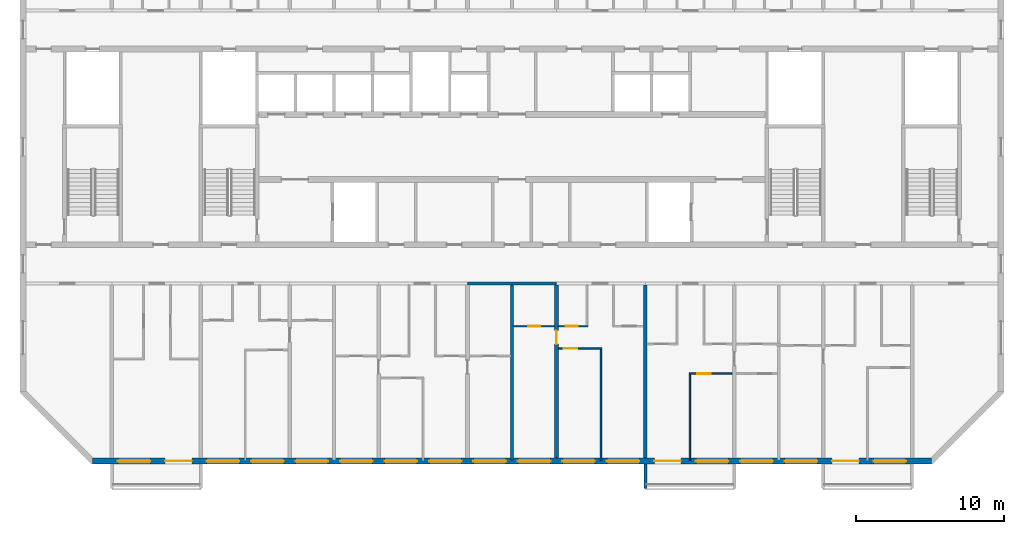
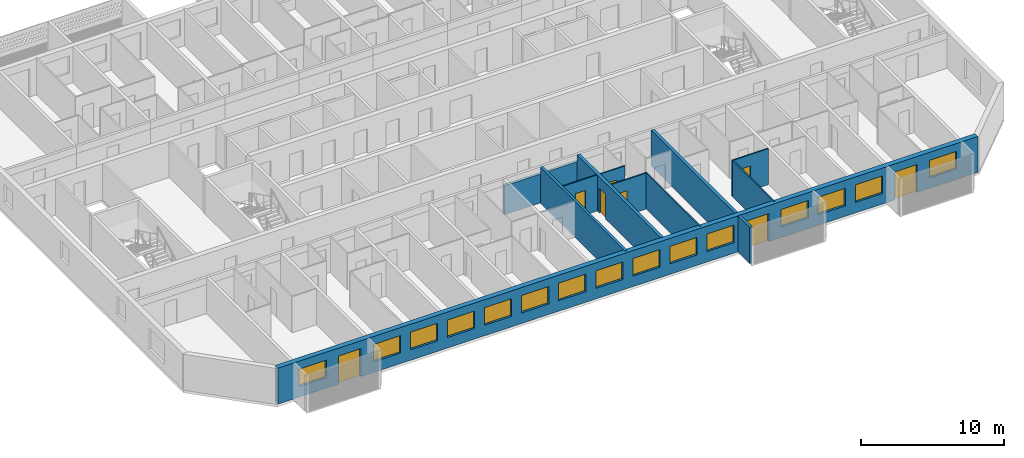
# One storey, part 4 of 28: 15 windows, 12 walls, 8 doors, 23 openings.
"""IFC4 building model written with IfcOpenShell, lengths in metres."""

from ifc_helpers import new_model, si_unit, direction, frame, frame_2d, origin, place, context, subcontext, project, spatial, polyline, rectangle, outline, extrude, source, transform, mapped, material, layer, layer_set, type_object, element, fill, save


model = new_model("IFC4")

# Units and contexts
model_context = context("Model", 3, precision=1e-05, world=origin(), true_north=direction((0.0, 1.0)))
body_context = subcontext(model_context, "Body", "Model", "MODEL_VIEW")
ifc_project = project(units=[si_unit("LENGTHUNIT", "METRE"), si_unit("AREAUNIT", "SQUARE_METRE"), si_unit("VOLUMEUNIT", "CUBIC_METRE"), si_unit("PLANEANGLEUNIT", "RADIAN"), si_unit("MASSUNIT", "GRAM", prefix="KILO")], contexts=[model_context])

# Site, building, storey
site_placement = place(None, origin())
site = spatial("IfcSite", under=ifc_project, at=site_placement, CompositionType="ELEMENT")
building_placement = place(site_placement, origin())
building = spatial("IfcBuilding", under=site, at=building_placement, Name="Poui Terraces", CompositionType="ELEMENT")
storey_placement = place(building_placement, frame((0.0, 0.0, 185.10009765625)))
storey = spatial("IfcBuildingStorey", under=building, at=storey_placement, Name="L51", CompositionType="ELEMENT", Elevation=185.10009765625)

# Wall
ifc_material_1 = material(Name="Concrete 50 MPa", Category="concrete")
ifc_layer_1 = layer(ifc_material_1, 0.199951171875)
ifc_layer_set_1 = layer_set([ifc_layer_1], Name="Concrete 50 MPa")
wall_type_1 = type_object("IfcWallType", Name="CORRIDOR WALL 200 50MPa", PredefinedType="SHEAR", material=ifc_layer_set_1)
wall_1_placement = place(storey_placement, frame((48.0, 12.0, 0.0), z_axis=(0.0, 0.0, 1.0), x_axis=(1.0, 0.0, 0.0)))
element("IfcWall", 1, at=wall_1_placement, inside=storey, type_object=wall_type_1, Name="CORRIDOR WALL LINE B BAY 6", PredefinedType="SHEAR", context=body_context, shape_type="SweptSolid", body=[
    extrude(rectangle(XDim=6.0, YDim=0.199951171875, at=frame_2d((3.0, 0.0))), origin(), (0.0, 0.0, 1.0), 2.47998046875),
])

# Wall, opening, door
ifc_layer_2 = layer(ifc_material_1, 0.25)
ifc_layer_set_2 = layer_set([ifc_layer_2], Name="Concrete 50 MPa")
wall_type_2 = type_object("IfcWallType", Name="CROSS WALL 250 50MPa", PredefinedType="SHEAR", material=ifc_layer_set_2)
wall_2_placement = place(storey_placement, frame((54.0, 0.199951171875, 0.0), z_axis=(0.0, 0.0, 1.0), x_axis=(0.0, 1.0, 0.0)))
wall_2 = element("IfcWall", 2, at=wall_2_placement, inside=storey, type_object=wall_type_2, Name="CROSS WALL LINE 10 SOUTH", PredefinedType="SHEAR", context=body_context, shape_type="SweptSolid", body=[
    extrude(rectangle(XDim=11.699951171875, YDim=0.25, at=frame_2d((5.85009765625, 0.0))), origin(), (0.0, 0.0, 1.0), 3.079833984375),
])
opening_1_placement = place(wall_2_placement, frame((7.699951171875, 0.0, 0.0)))
opening_1 = element("IfcOpeningElement", 3, at=opening_1_placement, cuts=wall_2, Name="Opening D90", PredefinedType="OPENING", context=body_context, shape_type="SweptSolid", body=[
    extrude(rectangle(XDim=0.89990234375, YDim=2.10009765625, at=frame_2d((0.449951171875, 1.050048828125))), frame((0.0, 0.135009765625, 0.0), z_axis=(0.0, -1.0, 0.0), x_axis=(1.0, 0.0, 0.0)), (0.0, 0.0, 1.0), 0.27001953125),
])
ifc_material_2 = material(Name="Solid core timber door", Category="wood")
door_type_1 = type_object("IfcDoorType", Name="INTERNAL DOOR 900 X 2100", OperationType="NOTDEFINED", PredefinedType="DOOR", material=ifc_material_2)
door_1_placement = place(opening_1_placement, origin())
door_1 = element("IfcDoor", 4, at=door_1_placement, inside=storey, type_object=door_type_1, Name="INTERNAL DOOR 083", OperationType="SINGLE_SWING_RIGHT", OverallHeight=2.10009765625, OverallWidth=0.89990234375, PredefinedType="DOOR", context=body_context, shape_type="SweptSolid", body=[
    extrude(rectangle(XDim=0.89990234375, YDim=2.10009765625, at=frame_2d((0.449951171875, 1.050048828125))), frame((0.0, 0.02490234375, 0.0), z_axis=(0.0, -1.0, 0.0), x_axis=(1.0, 0.0, 0.0)), (0.0, 0.0, 1.0), 0.050048828125),
])
fill(opening_1, door_1)

# Wall
wall_3_placement = place(storey_placement, frame((60.0, 0.199951171875, 0.0), z_axis=(0.0, 0.0, 1.0), x_axis=(0.0, 1.0, 0.0)))
element("IfcWall", 5, at=wall_3_placement, inside=storey, type_object=wall_type_2, Name="CROSS WALL LINE 11 SOUTH", PredefinedType="SHEAR", context=body_context, shape_type="SweptSolid", body=[
    extrude(rectangle(XDim=11.699951171875, YDim=0.25, at=frame_2d((5.85009765625, 0.0))), origin(), (0.0, 0.0, 1.0), 3.079833984375),
])

# Wall, openings, doors, windows
ifc_material_3 = material(Name="Precast concrete 40 MPa", Category="concrete")
ifc_layer_3 = layer(ifc_material_3, 0.39990234375)
ifc_layer_set_3 = layer_set([ifc_layer_3], Name="Precast concrete 40 MPa")
wall_type_3 = type_object("IfcWallType", Name="EXTERNAL WALL 400", PredefinedType="STANDARD", material=ifc_layer_set_3)
wall_4_placement = place(storey_placement, frame((22.682861328125, 0.0, 0.0), z_axis=(0.0, 0.0, 1.0), x_axis=(1.0, 0.0, 0.0)))
wall_4 = element("IfcWall", 6, at=wall_4_placement, inside=storey, type_object=wall_type_3, Name="EXTERNAL WALL S", PredefinedType="STANDARD", context=body_context, shape_type="SweptSolid", body=[
    extrude(rectangle(XDim=56.63427734375, YDim=0.39990234375, at=frame_2d((28.317138671875, 0.0))), origin(), (0.0, 0.0, 1.0), 3.079833984375),
])
opening_2_placement = place(wall_4_placement, frame((1.71728515625, 0.0, 0.89990234375)))
opening_2 = element("IfcOpeningElement", 7, at=opening_2_placement, cuts=wall_4, Name="Opening W1", PredefinedType="OPENING", context=body_context, shape_type="SweptSolid", body=[
    extrude(rectangle(XDim=2.199951171875, YDim=1.5, at=frame_2d((1.10009765625, 0.75))), frame((0.0, 0.2099609375, 0.0), z_axis=(0.0, -1.0, 0.0), x_axis=(1.0, 0.0, 0.0)), (0.0, 0.0, 1.0), 0.419921875),
])
opening_3_placement = place(wall_4_placement, frame((4.917236328125, 0.0, 0.0)))
opening_3 = element("IfcOpeningElement", 8, at=opening_3_placement, cuts=wall_4, Name="Opening BD1", PredefinedType="OPENING", context=body_context, shape_type="SweptSolid", body=[
    extrude(rectangle(XDim=1.800048828125, YDim=2.39990234375, at=frame_2d((0.89990234375, 1.199951171875))), frame((0.0, 0.2099609375, 0.0), z_axis=(0.0, -1.0, 0.0), x_axis=(1.0, 0.0, 0.0)), (0.0, 0.0, 1.0), 0.419921875),
])
opening_4_placement = place(wall_4_placement, frame((7.71728515625, 0.0, 0.89990234375)))
opening_4 = element("IfcOpeningElement", 9, at=opening_4_placement, cuts=wall_4, Name="Opening W1", PredefinedType="OPENING", context=body_context, shape_type="SweptSolid", body=[
    extrude(rectangle(XDim=2.199951171875, YDim=1.5, at=frame_2d((1.10009765625, 0.75))), frame((0.0, 0.2099609375, 0.0), z_axis=(0.0, -1.0, 0.0), x_axis=(1.0, 0.0, 0.0)), (0.0, 0.0, 1.0), 0.419921875),
])
opening_5_placement = place(wall_4_placement, frame((10.71728515625, 0.0, 0.89990234375)))
opening_5 = element("IfcOpeningElement", 10, at=opening_5_placement, cuts=wall_4, Name="Opening W1", PredefinedType="OPENING", context=body_context, shape_type="SweptSolid", body=[
    extrude(rectangle(XDim=2.199951171875, YDim=1.5, at=frame_2d((1.10009765625, 0.75))), frame((0.0, 0.2099609375, 0.0), z_axis=(0.0, -1.0, 0.0), x_axis=(1.0, 0.0, 0.0)), (0.0, 0.0, 1.0), 0.419921875),
])
opening_6_placement = place(wall_4_placement, frame((13.71728515625, 0.0, 0.89990234375)))
opening_6 = element("IfcOpeningElement", 11, at=opening_6_placement, cuts=wall_4, Name="Opening W1", PredefinedType="OPENING", context=body_context, shape_type="SweptSolid", body=[
    extrude(rectangle(XDim=2.199951171875, YDim=1.5, at=frame_2d((1.10009765625, 0.75))), frame((0.0, 0.2099609375, 0.0), z_axis=(0.0, -1.0, 0.0), x_axis=(1.0, 0.0, 0.0)), (0.0, 0.0, 1.0), 0.419921875),
])
opening_7_placement = place(wall_4_placement, frame((16.71728515625, 0.0, 0.89990234375)))
opening_7 = element("IfcOpeningElement", 12, at=opening_7_placement, cuts=wall_4, Name="Opening W1", PredefinedType="OPENING", context=body_context, shape_type="SweptSolid", body=[
    extrude(rectangle(XDim=2.199951171875, YDim=1.5, at=frame_2d((1.10009765625, 0.75))), frame((0.0, 0.2099609375, 0.0), z_axis=(0.0, -1.0, 0.0), x_axis=(1.0, 0.0, 0.0)), (0.0, 0.0, 1.0), 0.419921875),
])
opening_8_placement = place(wall_4_placement, frame((19.71728515625, 0.0, 0.89990234375)))
opening_8 = element("IfcOpeningElement", 13, at=opening_8_placement, cuts=wall_4, Name="Opening W1", PredefinedType="OPENING", context=body_context, shape_type="SweptSolid", body=[
    extrude(rectangle(XDim=2.199951171875, YDim=1.5, at=frame_2d((1.10009765625, 0.75))), frame((0.0, 0.2099609375, 0.0), z_axis=(0.0, -1.0, 0.0), x_axis=(1.0, 0.0, 0.0)), (0.0, 0.0, 1.0), 0.419921875),
])
opening_9_placement = place(wall_4_placement, frame((22.71728515625, 0.0, 0.89990234375)))
opening_9 = element("IfcOpeningElement", 14, at=opening_9_placement, cuts=wall_4, Name="Opening W1", PredefinedType="OPENING", context=body_context, shape_type="SweptSolid", body=[
    extrude(rectangle(XDim=2.199951171875, YDim=1.5, at=frame_2d((1.10009765625, 0.75))), frame((0.0, 0.2099609375, 0.0), z_axis=(0.0, -1.0, 0.0), x_axis=(1.0, 0.0, 0.0)), (0.0, 0.0, 1.0), 0.419921875),
])
opening_10_placement = place(wall_4_placement, frame((25.71728515625, 0.0, 0.89990234375)))
opening_10 = element("IfcOpeningElement", 15, at=opening_10_placement, cuts=wall_4, Name="Opening W1", PredefinedType="OPENING", context=body_context, shape_type="SweptSolid", body=[
    extrude(rectangle(XDim=2.199951171875, YDim=1.5, at=frame_2d((1.10009765625, 0.75))), frame((0.0, 0.2099609375, 0.0), z_axis=(0.0, -1.0, 0.0), x_axis=(1.0, 0.0, 0.0)), (0.0, 0.0, 1.0), 0.419921875),
])
opening_11_placement = place(wall_4_placement, frame((28.71728515625, 0.0, 0.89990234375)))
opening_11 = element("IfcOpeningElement", 16, at=opening_11_placement, cuts=wall_4, Name="Opening W1", PredefinedType="OPENING", context=body_context, shape_type="SweptSolid", body=[
    extrude(rectangle(XDim=2.199951171875, YDim=1.5, at=frame_2d((1.10009765625, 0.75))), frame((0.0, 0.2099609375, 0.0), z_axis=(0.0, -1.0, 0.0), x_axis=(1.0, 0.0, 0.0)), (0.0, 0.0, 1.0), 0.419921875),
])
opening_12_placement = place(wall_4_placement, frame((31.71728515625, 0.0, 0.89990234375)))
opening_12 = element("IfcOpeningElement", 17, at=opening_12_placement, cuts=wall_4, Name="Opening W1", PredefinedType="OPENING", context=body_context, shape_type="SweptSolid", body=[
    extrude(rectangle(XDim=2.199951171875, YDim=1.5, at=frame_2d((1.10009765625, 0.75))), frame((0.0, 0.2099609375, 0.0), z_axis=(0.0, -1.0, 0.0), x_axis=(1.0, 0.0, 0.0)), (0.0, 0.0, 1.0), 0.419921875),
])
opening_13_placement = place(wall_4_placement, frame((34.71728515625, 0.0, 0.89990234375)))
opening_13 = element("IfcOpeningElement", 18, at=opening_13_placement, cuts=wall_4, Name="Opening W1", PredefinedType="OPENING", context=body_context, shape_type="SweptSolid", body=[
    extrude(rectangle(XDim=2.199951171875, YDim=1.5, at=frame_2d((1.10009765625, 0.75))), frame((0.0, 0.2099609375, 0.0), z_axis=(0.0, -1.0, 0.0), x_axis=(1.0, 0.0, 0.0)), (0.0, 0.0, 1.0), 0.419921875),
])
opening_14_placement = place(wall_4_placement, frame((37.917236328125, 0.0, 0.0)))
opening_14 = element("IfcOpeningElement", 19, at=opening_14_placement, cuts=wall_4, Name="Opening BD1", PredefinedType="OPENING", context=body_context, shape_type="SweptSolid", body=[
    extrude(rectangle(XDim=1.800048828125, YDim=2.39990234375, at=frame_2d((0.89990234375, 1.199951171875))), frame((0.0, 0.2099609375, 0.0), z_axis=(0.0, -1.0, 0.0), x_axis=(1.0, 0.0, 0.0)), (0.0, 0.0, 1.0), 0.419921875),
])
opening_15_placement = place(wall_4_placement, frame((40.71728515625, 0.0, 0.89990234375)))
opening_15 = element("IfcOpeningElement", 20, at=opening_15_placement, cuts=wall_4, Name="Opening W1", PredefinedType="OPENING", context=body_context, shape_type="SweptSolid", body=[
    extrude(rectangle(XDim=2.199951171875, YDim=1.5, at=frame_2d((1.10009765625, 0.75))), frame((0.0, 0.2099609375, 0.0), z_axis=(0.0, -1.0, 0.0), x_axis=(1.0, 0.0, 0.0)), (0.0, 0.0, 1.0), 0.419921875),
])
opening_16_placement = place(wall_4_placement, frame((43.71728515625, 0.0, 0.89990234375)))
opening_16 = element("IfcOpeningElement", 21, at=opening_16_placement, cuts=wall_4, Name="Opening W1", PredefinedType="OPENING", context=body_context, shape_type="SweptSolid", body=[
    extrude(rectangle(XDim=2.199951171875, YDim=1.5, at=frame_2d((1.10009765625, 0.75))), frame((0.0, 0.2099609375, 0.0), z_axis=(0.0, -1.0, 0.0), x_axis=(1.0, 0.0, 0.0)), (0.0, 0.0, 1.0), 0.419921875),
])
opening_17_placement = place(wall_4_placement, frame((46.71728515625, 0.0, 0.89990234375)))
opening_17 = element("IfcOpeningElement", 22, at=opening_17_placement, cuts=wall_4, Name="Opening W1", PredefinedType="OPENING", context=body_context, shape_type="SweptSolid", body=[
    extrude(rectangle(XDim=2.199951171875, YDim=1.5, at=frame_2d((1.10009765625, 0.75))), frame((0.0, 0.2099609375, 0.0), z_axis=(0.0, -1.0, 0.0), x_axis=(1.0, 0.0, 0.0)), (0.0, 0.0, 1.0), 0.419921875),
])
opening_18_placement = place(wall_4_placement, frame((49.917236328125, 0.0, 0.0)))
opening_18 = element("IfcOpeningElement", 23, at=opening_18_placement, cuts=wall_4, Name="Opening BD1", PredefinedType="OPENING", context=body_context, shape_type="SweptSolid", body=[
    extrude(rectangle(XDim=1.800048828125, YDim=2.39990234375, at=frame_2d((0.89990234375, 1.199951171875))), frame((0.0, 0.2099609375, 0.0), z_axis=(0.0, -1.0, 0.0), x_axis=(1.0, 0.0, 0.0)), (0.0, 0.0, 1.0), 0.419921875),
])
opening_19_placement = place(wall_4_placement, frame((52.71728515625, 0.0, 0.89990234375)))
opening_19 = element("IfcOpeningElement", 24, at=opening_19_placement, cuts=wall_4, Name="Opening W1", PredefinedType="OPENING", context=body_context, shape_type="SweptSolid", body=[
    extrude(rectangle(XDim=2.199951171875, YDim=1.5, at=frame_2d((1.10009765625, 0.75))), frame((0.0, 0.2099609375, 0.0), z_axis=(0.0, -1.0, 0.0), x_axis=(1.0, 0.0, 0.0)), (0.0, 0.0, 1.0), 0.419921875),
])
ifc_material_4 = material(Name="Clear glass in aluminium frame", Category="aluminium")
door_type_2 = type_object("IfcDoorType", Name="BALCONY DOOR 1800X2400", OperationType="DOUBLE_DOOR_SLIDING", PredefinedType="DOOR", material=ifc_material_4)
door_2_placement = place(opening_3_placement, origin())
door_2 = element("IfcDoor", 25, at=door_2_placement, inside=storey, type_object=door_type_2, Name="BD1 BALCONY DOOR", OperationType="DOUBLE_DOOR_SLIDING", OverallHeight=2.39990234375, OverallWidth=1.800048828125, PredefinedType="DOOR", context=body_context, shape_type="SweptSolid", body=[
    extrude(rectangle(XDim=1.800048828125, YDim=2.39990234375, at=frame_2d((0.89990234375, 1.199951171875))), frame((0.0, 0.02490234375, 0.0), z_axis=(0.0, -1.0, 0.0), x_axis=(1.0, 0.0, 0.0)), (0.0, 0.0, 1.0), 0.050048828125),
])
fill(opening_3, door_2)
door_3_placement = place(opening_14_placement, origin())
door_3 = element("IfcDoor", 26, at=door_3_placement, inside=storey, type_object=door_type_2, Name="BD1 BALCONY DOOR", OperationType="DOUBLE_DOOR_SLIDING", OverallHeight=2.39990234375, OverallWidth=1.800048828125, PredefinedType="DOOR", context=body_context, shape_type="SweptSolid", body=[
    extrude(rectangle(XDim=1.800048828125, YDim=2.39990234375, at=frame_2d((0.89990234375, 1.199951171875))), frame((0.0, 0.02490234375, 0.0), z_axis=(0.0, -1.0, 0.0), x_axis=(1.0, 0.0, 0.0)), (0.0, 0.0, 1.0), 0.050048828125),
])
fill(opening_14, door_3)
door_4_placement = place(opening_18_placement, origin())
door_4 = element("IfcDoor", 27, at=door_4_placement, inside=storey, type_object=door_type_2, Name="BD1 BALCONY DOOR", OperationType="DOUBLE_DOOR_SLIDING", OverallHeight=2.39990234375, OverallWidth=1.800048828125, PredefinedType="DOOR", context=body_context, shape_type="SweptSolid", body=[
    extrude(rectangle(XDim=1.800048828125, YDim=2.39990234375, at=frame_2d((0.89990234375, 1.199951171875))), frame((0.0, 0.02490234375, 0.0), z_axis=(0.0, -1.0, 0.0), x_axis=(1.0, 0.0, 0.0)), (0.0, 0.0, 1.0), 0.050048828125),
])
fill(opening_18, door_4)
window_type = type_object("IfcWindowType", Name="WINDOW 2200X1500", PartitioningType="DOUBLE_PANEL_HORIZONTAL", PredefinedType="WINDOW", material=ifc_material_4)
window_1_placement = place(opening_2_placement, origin())
window_1 = element("IfcWindow", 28, at=window_1_placement, inside=storey, type_object=window_type, Name="W1 WINDOW", OverallHeight=1.5, OverallWidth=2.199951171875, PartitioningType="DOUBLE_PANEL_HORIZONTAL", PredefinedType="WINDOW", context=body_context, shape_type="SweptSolid", body=[
    extrude(rectangle(XDim=2.199951171875, YDim=1.5, at=frame_2d((1.10009765625, 0.75))), frame((0.0, 0.030029296875, 0.0), z_axis=(0.0, -1.0, 0.0), x_axis=(1.0, 0.0, 0.0)), (0.0, 0.0, 1.0), 0.06005859375),
])
fill(opening_2, window_1)
window_2_placement = place(opening_4_placement, origin())
window_2 = element("IfcWindow", 29, at=window_2_placement, inside=storey, type_object=window_type, Name="W1 WINDOW", OverallHeight=1.5, OverallWidth=2.199951171875, PartitioningType="DOUBLE_PANEL_HORIZONTAL", PredefinedType="WINDOW", context=body_context, shape_type="SweptSolid", body=[
    extrude(rectangle(XDim=2.199951171875, YDim=1.5, at=frame_2d((1.10009765625, 0.75))), frame((0.0, 0.030029296875, 0.0), z_axis=(0.0, -1.0, 0.0), x_axis=(1.0, 0.0, 0.0)), (0.0, 0.0, 1.0), 0.06005859375),
])
fill(opening_4, window_2)
window_3_placement = place(opening_5_placement, origin())
window_3 = element("IfcWindow", 30, at=window_3_placement, inside=storey, type_object=window_type, Name="W1 WINDOW", OverallHeight=1.5, OverallWidth=2.199951171875, PartitioningType="DOUBLE_PANEL_HORIZONTAL", PredefinedType="WINDOW", context=body_context, shape_type="SweptSolid", body=[
    extrude(rectangle(XDim=2.199951171875, YDim=1.5, at=frame_2d((1.10009765625, 0.75))), frame((0.0, 0.030029296875, 0.0), z_axis=(0.0, -1.0, 0.0), x_axis=(1.0, 0.0, 0.0)), (0.0, 0.0, 1.0), 0.06005859375),
])
fill(opening_5, window_3)
window_4_placement = place(opening_6_placement, origin())
window_4 = element("IfcWindow", 31, at=window_4_placement, inside=storey, type_object=window_type, Name="W1 WINDOW", OverallHeight=1.5, OverallWidth=2.199951171875, PartitioningType="DOUBLE_PANEL_HORIZONTAL", PredefinedType="WINDOW", context=body_context, shape_type="SweptSolid", body=[
    extrude(rectangle(XDim=2.199951171875, YDim=1.5, at=frame_2d((1.10009765625, 0.75))), frame((0.0, 0.030029296875, 0.0), z_axis=(0.0, -1.0, 0.0), x_axis=(1.0, 0.0, 0.0)), (0.0, 0.0, 1.0), 0.06005859375),
])
fill(opening_6, window_4)
window_5_placement = place(opening_7_placement, origin())
window_5 = element("IfcWindow", 32, at=window_5_placement, inside=storey, type_object=window_type, Name="W1 WINDOW", OverallHeight=1.5, OverallWidth=2.199951171875, PartitioningType="DOUBLE_PANEL_HORIZONTAL", PredefinedType="WINDOW", context=body_context, shape_type="SweptSolid", body=[
    extrude(rectangle(XDim=2.199951171875, YDim=1.5, at=frame_2d((1.10009765625, 0.75))), frame((0.0, 0.030029296875, 0.0), z_axis=(0.0, -1.0, 0.0), x_axis=(1.0, 0.0, 0.0)), (0.0, 0.0, 1.0), 0.06005859375),
])
fill(opening_7, window_5)
window_6_placement = place(opening_8_placement, origin())
window_6 = element("IfcWindow", 33, at=window_6_placement, inside=storey, type_object=window_type, Name="W1 WINDOW", OverallHeight=1.5, OverallWidth=2.199951171875, PartitioningType="DOUBLE_PANEL_HORIZONTAL", PredefinedType="WINDOW", context=body_context, shape_type="SweptSolid", body=[
    extrude(rectangle(XDim=2.199951171875, YDim=1.5, at=frame_2d((1.10009765625, 0.75))), frame((0.0, 0.030029296875, 0.0), z_axis=(0.0, -1.0, 0.0), x_axis=(1.0, 0.0, 0.0)), (0.0, 0.0, 1.0), 0.06005859375),
])
fill(opening_8, window_6)
window_7_placement = place(opening_9_placement, origin())
window_7 = element("IfcWindow", 34, at=window_7_placement, inside=storey, type_object=window_type, Name="W1 WINDOW", OverallHeight=1.5, OverallWidth=2.199951171875, PartitioningType="DOUBLE_PANEL_HORIZONTAL", PredefinedType="WINDOW", context=body_context, shape_type="SweptSolid", body=[
    extrude(rectangle(XDim=2.199951171875, YDim=1.5, at=frame_2d((1.10009765625, 0.75))), frame((0.0, 0.030029296875, 0.0), z_axis=(0.0, -1.0, 0.0), x_axis=(1.0, 0.0, 0.0)), (0.0, 0.0, 1.0), 0.06005859375),
])
fill(opening_9, window_7)
window_8_placement = place(opening_10_placement, origin())
window_8 = element("IfcWindow", 35, at=window_8_placement, inside=storey, type_object=window_type, Name="W1 WINDOW", OverallHeight=1.5, OverallWidth=2.199951171875, PartitioningType="DOUBLE_PANEL_HORIZONTAL", PredefinedType="WINDOW", context=body_context, shape_type="SweptSolid", body=[
    extrude(rectangle(XDim=2.199951171875, YDim=1.5, at=frame_2d((1.10009765625, 0.75))), frame((0.0, 0.030029296875, 0.0), z_axis=(0.0, -1.0, 0.0), x_axis=(1.0, 0.0, 0.0)), (0.0, 0.0, 1.0), 0.06005859375),
])
fill(opening_10, window_8)
window_9_placement = place(opening_11_placement, origin())
window_9 = element("IfcWindow", 36, at=window_9_placement, inside=storey, type_object=window_type, Name="W1 WINDOW", OverallHeight=1.5, OverallWidth=2.199951171875, PartitioningType="DOUBLE_PANEL_HORIZONTAL", PredefinedType="WINDOW", context=body_context, shape_type="SweptSolid", body=[
    extrude(rectangle(XDim=2.199951171875, YDim=1.5, at=frame_2d((1.10009765625, 0.75))), frame((0.0, 0.030029296875, 0.0), z_axis=(0.0, -1.0, 0.0), x_axis=(1.0, 0.0, 0.0)), (0.0, 0.0, 1.0), 0.06005859375),
])
fill(opening_11, window_9)
window_10_placement = place(opening_12_placement, origin())
window_10 = element("IfcWindow", 37, at=window_10_placement, inside=storey, type_object=window_type, Name="W1 WINDOW", OverallHeight=1.5, OverallWidth=2.199951171875, PartitioningType="DOUBLE_PANEL_HORIZONTAL", PredefinedType="WINDOW", context=body_context, shape_type="SweptSolid", body=[
    extrude(rectangle(XDim=2.199951171875, YDim=1.5, at=frame_2d((1.10009765625, 0.75))), frame((0.0, 0.030029296875, 0.0), z_axis=(0.0, -1.0, 0.0), x_axis=(1.0, 0.0, 0.0)), (0.0, 0.0, 1.0), 0.06005859375),
])
fill(opening_12, window_10)
window_11_placement = place(opening_13_placement, origin())
window_11 = element("IfcWindow", 38, at=window_11_placement, inside=storey, type_object=window_type, Name="W1 WINDOW", OverallHeight=1.5, OverallWidth=2.199951171875, PartitioningType="DOUBLE_PANEL_HORIZONTAL", PredefinedType="WINDOW", context=body_context, shape_type="SweptSolid", body=[
    extrude(rectangle(XDim=2.199951171875, YDim=1.5, at=frame_2d((1.10009765625, 0.75))), frame((0.0, 0.030029296875, 0.0), z_axis=(0.0, -1.0, 0.0), x_axis=(1.0, 0.0, 0.0)), (0.0, 0.0, 1.0), 0.06005859375),
])
fill(opening_13, window_11)
window_12_placement = place(opening_15_placement, origin())
window_12 = element("IfcWindow", 39, at=window_12_placement, inside=storey, type_object=window_type, Name="W1 WINDOW", OverallHeight=1.5, OverallWidth=2.199951171875, PartitioningType="DOUBLE_PANEL_HORIZONTAL", PredefinedType="WINDOW", context=body_context, shape_type="SweptSolid", body=[
    extrude(rectangle(XDim=2.199951171875, YDim=1.5, at=frame_2d((1.10009765625, 0.75))), frame((0.0, 0.030029296875, 0.0), z_axis=(0.0, -1.0, 0.0), x_axis=(1.0, 0.0, 0.0)), (0.0, 0.0, 1.0), 0.06005859375),
])
fill(opening_15, window_12)
window_13_placement = place(opening_16_placement, origin())
window_13 = element("IfcWindow", 40, at=window_13_placement, inside=storey, type_object=window_type, Name="W1 WINDOW", OverallHeight=1.5, OverallWidth=2.199951171875, PartitioningType="DOUBLE_PANEL_HORIZONTAL", PredefinedType="WINDOW", context=body_context, shape_type="SweptSolid", body=[
    extrude(rectangle(XDim=2.199951171875, YDim=1.5, at=frame_2d((1.10009765625, 0.75))), frame((0.0, 0.030029296875, 0.0), z_axis=(0.0, -1.0, 0.0), x_axis=(1.0, 0.0, 0.0)), (0.0, 0.0, 1.0), 0.06005859375),
])
fill(opening_16, window_13)
window_14_placement = place(opening_17_placement, origin())
window_14 = element("IfcWindow", 41, at=window_14_placement, inside=storey, type_object=window_type, Name="W1 WINDOW", OverallHeight=1.5, OverallWidth=2.199951171875, PartitioningType="DOUBLE_PANEL_HORIZONTAL", PredefinedType="WINDOW", context=body_context, shape_type="SweptSolid", body=[
    extrude(rectangle(XDim=2.199951171875, YDim=1.5, at=frame_2d((1.10009765625, 0.75))), frame((0.0, 0.030029296875, 0.0), z_axis=(0.0, -1.0, 0.0), x_axis=(1.0, 0.0, 0.0)), (0.0, 0.0, 1.0), 0.06005859375),
])
fill(opening_17, window_14)
window_15_placement = place(opening_19_placement, origin())
window_15 = element("IfcWindow", 42, at=window_15_placement, inside=storey, type_object=window_type, Name="W1 WINDOW", OverallHeight=1.5, OverallWidth=2.199951171875, PartitioningType="DOUBLE_PANEL_HORIZONTAL", PredefinedType="WINDOW", context=body_context, shape_type="SweptSolid", body=[
    extrude(rectangle(XDim=2.199951171875, YDim=1.5, at=frame_2d((1.10009765625, 0.75))), frame((0.0, 0.030029296875, 0.0), z_axis=(0.0, -1.0, 0.0), x_axis=(1.0, 0.0, 0.0)), (0.0, 0.0, 1.0), 0.06005859375),
])
fill(opening_19, window_15)

# Wall, opening, door
ifc_material_5 = material(Name="Plasterboard partition")
ifc_layer_4 = layer(ifc_material_5, 0.10009765625)
ifc_layer_set_4 = layer_set([ifc_layer_4], Name="Plasterboard partition")
wall_type_4 = type_object("IfcWallType", Name="FLAT PARTITION 100", PredefinedType="PARTITIONING", material=ifc_layer_set_4)
wall_5_placement = place(storey_placement, frame((62.949951171875, 5.89990234375, 0.0), z_axis=(0.0, 0.0, 1.0), x_axis=(1.0, 0.0, 0.0)))
wall_5 = element("IfcWall", 43, at=wall_5_placement, inside=storey, type_object=wall_type_4, Name="FLAT PARTITION 100", PredefinedType="PARTITIONING", context=body_context, shape_type="SweptSolid", body=[
    extrude(rectangle(XDim=2.9150390625, YDim=0.10009765625, at=frame_2d((1.45751953125, 0.0))), origin(), (0.0, 0.0, 1.0), 3.079833984375),
])
opening_20_placement = place(wall_5_placement, frame((0.550048828125, 0.0, 0.0)))
opening_20 = element("IfcOpeningElement", 44, at=opening_20_placement, cuts=wall_5, Name="Opening D90", PredefinedType="OPENING", context=body_context, shape_type="SweptSolid", body=[
    extrude(rectangle(XDim=0.89990234375, YDim=2.10009765625, at=frame_2d((0.449951171875, 1.050048828125))), frame((0.0, 0.06005859375, 0.0), z_axis=(0.0, -1.0, 0.0), x_axis=(1.0, 0.0, 0.0)), (0.0, 0.0, 1.0), 0.1201171875),
])
door_5_placement = place(opening_20_placement, origin())
door_5 = element("IfcDoor", 45, at=door_5_placement, inside=storey, type_object=door_type_1, Name="INTERNAL DOOR 092", OperationType="SINGLE_SWING_RIGHT", OverallHeight=2.10009765625, OverallWidth=0.89990234375, PredefinedType="DOOR", context=body_context, shape_type="SweptSolid", body=[
    extrude(rectangle(XDim=0.89990234375, YDim=2.10009765625, at=frame_2d((0.449951171875, 1.050048828125))), frame((0.0, 0.02490234375, 0.0), z_axis=(0.0, -1.0, 0.0), x_axis=(1.0, 0.0, 0.0)), (0.0, 0.0, 1.0), 0.050048828125),
])
fill(opening_20, door_5)

wall_6_placement = place(storey_placement, frame((54.135009765625, 7.60009765625, 0.0), z_axis=(0.0, 0.0, 1.0), x_axis=(1.0, 0.0, 0.0)))
wall_6 = element("IfcWall", 46, at=wall_6_placement, inside=storey, type_object=wall_type_4, Name="FLAT PARTITION 100", PredefinedType="PARTITIONING", context=body_context, shape_type="SweptSolid", body=[
    extrude(rectangle(XDim=2.9150390625, YDim=0.10009765625, at=frame_2d((1.45751953125, 0.0))), origin(), (0.0, 0.0, 1.0), 3.079833984375),
])
opening_21_placement = place(wall_6_placement, frame((0.364990234375, 0.0, 0.0)))
opening_21 = element("IfcOpeningElement", 47, at=opening_21_placement, cuts=wall_6, Name="Opening D90", PredefinedType="OPENING", context=body_context, shape_type="SweptSolid", body=[
    extrude(rectangle(XDim=0.89990234375, YDim=2.10009765625, at=frame_2d((0.449951171875, 1.050048828125))), frame((0.0, 0.06005859375, 0.0), z_axis=(0.0, -1.0, 0.0), x_axis=(1.0, 0.0, 0.0)), (0.0, 0.0, 1.0), 0.1201171875),
])
door_6_placement = place(opening_21_placement, origin())
door_6 = element("IfcDoor", 48, at=door_6_placement, inside=storey, type_object=door_type_1, Name="INTERNAL DOOR 084", OperationType="SINGLE_SWING_RIGHT", OverallHeight=2.10009765625, OverallWidth=0.89990234375, PredefinedType="DOOR", context=body_context, shape_type="SweptSolid", body=[
    extrude(rectangle(XDim=0.89990234375, YDim=2.10009765625, at=frame_2d((0.449951171875, 1.050048828125))), frame((0.0, 0.02490234375, 0.0), z_axis=(0.0, -1.0, 0.0), x_axis=(1.0, 0.0, 0.0)), (0.0, 0.0, 1.0), 0.050048828125),
])
fill(opening_21, door_6)

wall_7_placement = place(storey_placement, frame((51.10009765625, 9.10009765625, 0.0), z_axis=(0.0, 0.0, 1.0), x_axis=(1.0, 0.0, 0.0)))
wall_7 = element("IfcWall", 49, at=wall_7_placement, inside=storey, type_object=wall_type_4, Name="FLAT PARTITION 100", PredefinedType="PARTITIONING", context=body_context, shape_type="SweptSolid", body=[
    extrude(rectangle(XDim=2.764892578125, YDim=0.10009765625, at=frame_2d((1.38232421875, 0.0))), origin(), (0.0, 0.0, 1.0), 3.079833984375),
])
opening_22_placement = place(wall_7_placement, frame((1.0, 0.0, 0.0)))
opening_22 = element("IfcOpeningElement", 50, at=opening_22_placement, cuts=wall_7, Name="Opening D80", PredefinedType="OPENING", context=body_context, shape_type="SweptSolid", body=[
    extrude(rectangle(XDim=0.800048828125, YDim=2.10009765625, at=frame_2d((0.39990234375, 1.050048828125))), frame((0.0, 0.06005859375, 0.0), z_axis=(0.0, -1.0, 0.0), x_axis=(1.0, 0.0, 0.0)), (0.0, 0.0, 1.0), 0.1201171875),
])
door_type_3 = type_object("IfcDoorType", Name="BATHROOM, LAUNDRY AND STORE DOOR 800 X 2100", OperationType="NOTDEFINED", PredefinedType="DOOR", material=ifc_material_2)
door_7_placement = place(opening_22_placement, origin())
door_7 = element("IfcDoor", 51, at=door_7_placement, inside=storey, type_object=door_type_3, Name="BATHROOM, LAUNDRY AND STORE DOOR 082", OperationType="SINGLE_SWING_LEFT", OverallHeight=2.10009765625, OverallWidth=0.800048828125, PredefinedType="DOOR", context=body_context, shape_type="SweptSolid", body=[
    extrude(rectangle(XDim=0.800048828125, YDim=2.10009765625, at=frame_2d((0.39990234375, 1.050048828125))), frame((0.0, 0.02490234375, 0.0), z_axis=(0.0, -1.0, 0.0), x_axis=(1.0, 0.0, 0.0)), (0.0, 0.0, 1.0), 0.050048828125),
])
fill(opening_22, door_7)

wall_8_placement = place(storey_placement, frame((54.135009765625, 9.10009765625, 0.0), z_axis=(0.0, 0.0, 1.0), x_axis=(1.0, 0.0, 0.0)))
wall_8 = element("IfcWall", 52, at=wall_8_placement, inside=storey, type_object=wall_type_4, Name="FLAT PARTITION 100", PredefinedType="PARTITIONING", context=body_context, shape_type="SweptSolid", body=[
    extrude(rectangle(XDim=1.965087890625, YDim=0.10009765625, at=frame_2d((0.982421875, 0.0))), origin(), (0.0, 0.0, 1.0), 3.079833984375),
])
opening_23_placement = place(wall_8_placement, frame((0.489990234375, 0.0, 0.0)))
opening_23 = element("IfcOpeningElement", 53, at=opening_23_placement, cuts=wall_8, Name="Opening D80", PredefinedType="OPENING", context=body_context, shape_type="SweptSolid", body=[
    extrude(rectangle(XDim=0.800048828125, YDim=2.10009765625, at=frame_2d((0.39990234375, 1.050048828125))), frame((0.0, 0.06005859375, 0.0), z_axis=(0.0, -1.0, 0.0), x_axis=(1.0, 0.0, 0.0)), (0.0, 0.0, 1.0), 0.1201171875),
])
door_8_placement = place(opening_23_placement, origin())
door_8 = element("IfcDoor", 54, at=door_8_placement, inside=storey, type_object=door_type_3, Name="BATHROOM, LAUNDRY AND STORE DOOR 085", OperationType="SINGLE_SWING_LEFT", OverallHeight=2.10009765625, OverallWidth=0.800048828125, PredefinedType="DOOR", context=body_context, shape_type="SweptSolid", body=[
    extrude(rectangle(XDim=0.800048828125, YDim=2.10009765625, at=frame_2d((0.39990234375, 1.050048828125))), frame((0.0, 0.02490234375, 0.0), z_axis=(0.0, -1.0, 0.0), x_axis=(1.0, 0.0, 0.0)), (0.0, 0.0, 1.0), 0.050048828125),
])
fill(opening_23, door_8)

# Walls
wall_9_placement = place(storey_placement, frame((57.0, 0.06005859375, 0.0), z_axis=(0.0, 0.0, 1.0), x_axis=(0.0, 1.0, 0.0)))
element("IfcWall", 55, at=wall_9_placement, inside=storey, type_object=wall_type_4, Name="FLAT PARTITION 100", PredefinedType="PARTITIONING", context=body_context, shape_type="SweptSolid", body=[
    extrude(rectangle(XDim=7.489990234375, YDim=0.10009765625, at=frame_2d((3.7451171875, 0.0))), origin(), (0.0, 0.0, 1.0), 3.079833984375),
])
wall_10_placement = place(storey_placement, frame((63.0, 0.06005859375, 0.0), z_axis=(0.0, 0.0, 1.0), x_axis=(0.0, 1.0, 0.0)))
element("IfcWall", 56, at=wall_10_placement, inside=storey, type_object=wall_type_4, Name="FLAT PARTITION 100", PredefinedType="PARTITIONING", context=body_context, shape_type="SweptSolid", body=[
    extrude(rectangle(XDim=5.7900390625, YDim=0.10009765625, at=frame_2d((2.89501953125, 0.0))), origin(), (0.0, 0.0, 1.0), 3.079833984375),
])
ifc_material_6 = material(Name="Fire-rated masonry wall", Category="masonry")
ifc_layer_5 = layer(ifc_material_6, 0.199951171875)
ifc_layer_set_5 = layer_set([ifc_layer_5], Name="Fire-rated masonry wall")
wall_type_5 = type_object("IfcWallType", Name="FLAT PARTY WALL 200", PredefinedType="PARTITIONING", material=ifc_layer_set_5)
wall_11_placement = place(storey_placement, frame((51.0, 0.06005859375, 0.0), z_axis=(0.0, 0.0, 1.0), x_axis=(0.0, 1.0, 0.0)))
element("IfcWall", 57, at=wall_11_placement, inside=storey, type_object=wall_type_5, Name="FLAT PARTY WALL 200", PredefinedType="PARTITIONING", context=body_context, shape_type="SweptSolid", body=[
    extrude(rectangle(XDim=11.829833984375, YDim=0.199951171875, at=frame_2d((5.9150390625, 0.0))), origin(), (0.0, 0.0, 1.0), 3.079833984375),
])
ifc_layer_6 = layer(ifc_material_3, 0.199951171875)
ifc_layer_set_6 = layer_set([ifc_layer_6], Name="Precast concrete 40 MPa")
wall_type_6 = type_object("IfcWallType", Name="REAR FIN 200", PredefinedType="STANDARD", material=ifc_layer_set_6)
shared_shape = source(origin(), body_context, "Body", "SweptSolid", [
    extrude(outline(polyline([(0.0, 0.0), (0.2001953125, 0.0), (0.2001953125, 1.650146484375), (0.0, 1.650146484375), (0.0, 0.0)])), origin(), (0.0, 0.0, 1.0), 3.099853515625),
])
wall_12_placement = place(storey_placement, frame((59.89990234375, -1.85009765625, 0.0)))
element("IfcWall", 58, at=wall_12_placement, inside=storey, type_object=wall_type_6, Name="REAR FIN", PredefinedType="STANDARD", context=body_context, shape_type="MappedRepresentation", body=[
    mapped(shared_shape, transform((0.0, 0.0, 0.0))),
])

save(model, "model.ifc")
